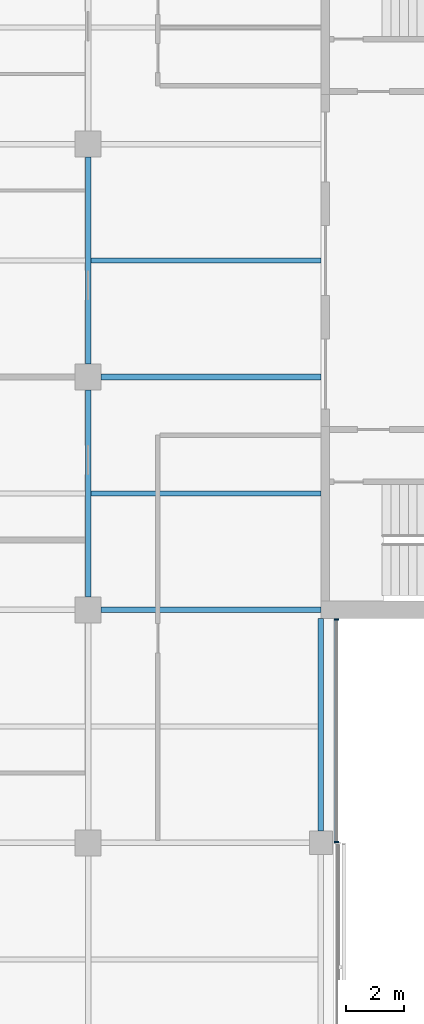
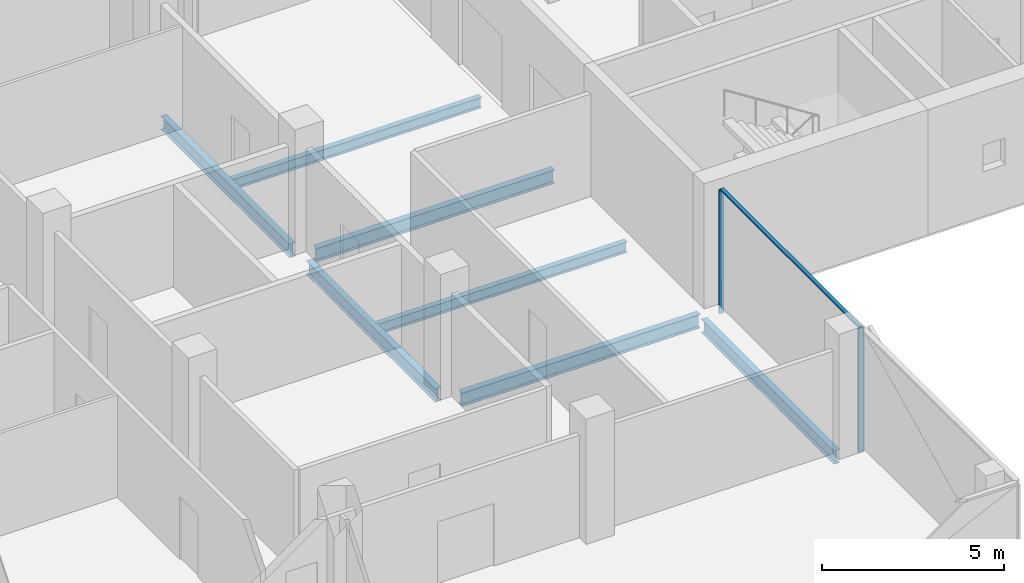
# One storey, part 4 of 15: 7 beams, 3 members, 1 element without a shape of its own.
"""IFC4 building model written with IfcOpenShell, lengths in metres."""

from ifc_helpers import new_model, si_unit, direction, frame, origin, origin_2d, place, context, subcontext, project, spatial, rectangle, i_section, extrude, material, material_profile, profile_set, type_object, element, aggregate, save


model = new_model("IFC4")

# Units and contexts
model_context = context("Model", 3, precision=1e-05, world=origin(), true_north=direction((0.0, 1.0)))
body_context = subcontext(model_context, "Body", "Model", "MODEL_VIEW")
ifc_project = project(units=[si_unit("LENGTHUNIT", "METRE"), si_unit("AREAUNIT", "SQUARE_METRE"), si_unit("VOLUMEUNIT", "CUBIC_METRE"), si_unit("PLANEANGLEUNIT", "RADIAN"), si_unit("MASSUNIT", "GRAM", prefix="KILO")], contexts=[model_context])

# Site, building, storey
site_placement = place(None, origin())
site = spatial("IfcSite", under=ifc_project, at=site_placement, CompositionType="ELEMENT")
building_placement = place(site_placement, origin())
building = spatial("IfcBuilding", under=site, at=building_placement, Name="Crosswind Convention Tower", CompositionType="ELEMENT")
storey_placement = place(building_placement, frame((0.0, 0.0, 220.89990234375)))
storey = spatial("IfcBuildingStorey", under=building, at=storey_placement, Name="L47", CompositionType="ELEMENT", Elevation=220.89990234375)

# Beams
ifc_material_1 = material(Name="Steel S355", Category="steel")
ifc_material_profile_1 = material_profile(ifc_material_1, i_section(OverallWidth=0.18994140625, OverallDepth=0.45361328125, WebThickness=0.008544921875, FlangeThickness=0.0126953125, FilletRadius=0.01025390625, at=origin_2d()), Name="UB 457x191x67")
ifc_profile_set_1 = profile_set([ifc_material_profile_1], Name="Steel S355")
beam_type_1 = type_object("IfcBeamType", Name="Edge beam UB 457x191x67", PredefinedType="SPANDREL", material=ifc_profile_set_1)
beam_placement = place(storey_placement, frame((137.0, 80.39990234375, -0.526611328125), z_axis=(0.0, 1.0, 0.0), x_axis=(-1.0, 0.0, 0.0)))
element("IfcBeam", 1, at=beam_placement, inside=storey, type_object=beam_type_1, Name="B16 L47 edge beam 12", PredefinedType="SPANDREL", context=body_context, shape_type="SweptSolid", body=[
    extrude(i_section(OverallWidth=0.18994140625, OverallDepth=0.45361328125, WebThickness=0.008544921875, FlangeThickness=0.0126953125, FilletRadius=0.01025390625, at=origin_2d()), origin(), (0.0, 0.0, 1.0), 7.300048828125),
])
ifc_material_profile_2 = material_profile(ifc_material_1, i_section(OverallWidth=0.1904296875, OverallDepth=0.457275390625, WebThickness=0.009033203125, FlangeThickness=0.014404296875, FilletRadius=0.01025390625, at=origin_2d()), Name="UB 457x191x75")
ifc_profile_set_2 = profile_set([ifc_material_profile_2], Name="Steel S355")
beam_type_2 = type_object("IfcBeamType", Name="Girder UB 457x191x75", PredefinedType="BEAM", material=ifc_profile_set_2)
for number, where, z_axis, x_axis, name in (
    (2, (129.0, 88.449951171875, -0.528564453125), (0.0, 1.0, 0.0), (-1.0, 0.0, 0.0), "B2 L47 girder 18"),
    (3, (129.0, 96.449951171875, -0.528564453125), (0.0, 1.0, 0.0), (-1.0, 0.0, 0.0), "B2 L47 girder 19"),
):
    element("IfcBeam", number, at=place(storey_placement, frame(where, z_axis=z_axis, x_axis=x_axis)), inside=storey, type_object=beam_type_2, Name=name, PredefinedType="BEAM", context=body_context, shape_type="SweptSolid", body=[
        extrude(i_section(OverallWidth=0.1904296875, OverallDepth=0.457275390625, WebThickness=0.009033203125, FlangeThickness=0.014404296875, FilletRadius=0.01025390625, at=origin_2d()), origin(), (0.0, 0.0, 1.0), 7.10009765625),
    ])
ifc_material_profile_3 = material_profile(ifc_material_1, i_section(OverallWidth=0.19140625, OverallDepth=0.460205078125, WebThickness=0.010009765625, FlangeThickness=0.01611328125, FilletRadius=0.01025390625, at=origin_2d()), Name="UB 457x191x82")
ifc_profile_set_3 = profile_set([ifc_material_profile_3], Name="Steel S355")
beam_type_3 = type_object("IfcBeamType", Name="Girder at core wall UB 457x191x82", PredefinedType="BEAM", material=ifc_profile_set_3)
for number, where, z_axis, x_axis, name in (
    (4, (129.449951171875, 88.0, -0.530029296875), (1.0, 0.0, 0.0), (0.0, 1.0, 0.0), "B23 L47 girder at core wall 5"),
    (5, (129.449951171875, 96.0, -0.530029296875), (1.0, 0.0, 0.0), (0.0, 1.0, 0.0), "B23 L47 girder at core wall 6"),
):
    element("IfcBeam", number, at=place(storey_placement, frame(where, z_axis=z_axis, x_axis=x_axis)), inside=storey, type_object=beam_type_3, Name=name, PredefinedType="BEAM", context=body_context, shape_type="SweptSolid", body=[
        extrude(i_section(OverallWidth=0.19140625, OverallDepth=0.460205078125, WebThickness=0.010009765625, FlangeThickness=0.01611328125, FilletRadius=0.01025390625, at=origin_2d()), origin(), (0.0, 0.0, 1.0), 7.550048828125),
    ])

# Curtain wall, members
ifc_material_2 = material(Name="Aluminium unitised curtain wall", Category="aluminium")
curtain_wall_type = type_object("IfcCurtainWallType", Name="CORE END SLOT WALL 160", PredefinedType="USERDEFINED", material=ifc_material_2)
curtain_wall_placement = place(storey_placement, origin())
curtain_wall = element("IfcCurtainWall", 6, at=curtain_wall_placement, inside=storey, type_object=curtain_wall_type, Name="CW6 L47 S-E.1-2 slot", ObjectType="UNITISED", PredefinedType="USERDEFINED")
ifc_material_3 = material(Name="Aluminium mullion", Category="aluminium")
ifc_material_profile_4 = material_profile(ifc_material_3, rectangle(XDim=0.159912109375, YDim=0.050048828125, at=origin_2d()), Name="AL 160X50")
ifc_profile_set_4 = profile_set([ifc_material_profile_4], Name="Aluminium mullion")
member_type_1 = type_object("IfcMemberType", Name="MULLION 50X160", PredefinedType="MULLION", material=ifc_profile_set_4)
member_1_placement = place(storey_placement, frame((137.530029296875, 80.02490234375, -0.2998046875), z_axis=(0.0, 0.0, 1.0), x_axis=(1.0, 0.0, 0.0)))
member_1 = element("IfcMember", 7, at=member_1_placement, type_object=member_type_1, Name="CW6 mullion 1", PredefinedType="MULLION", context=body_context, shape_type="SweptSolid", body=[
    extrude(rectangle(XDim=0.159912109375, YDim=0.050048828125, at=origin_2d()), origin(), (0.0, 0.0, 1.0), 4.14990234375),
])
member_2_placement = place(storey_placement, frame((137.530029296875, 87.675048828125, -0.2998046875), z_axis=(0.0, 0.0, 1.0), x_axis=(1.0, 0.0, 0.0)))
member_2 = element("IfcMember", 8, at=member_2_placement, type_object=member_type_1, Name="CW6 mullion 2", PredefinedType="MULLION", context=body_context, shape_type="SweptSolid", body=[
    extrude(rectangle(XDim=0.159912109375, YDim=0.050048828125, at=origin_2d()), origin(), (0.0, 0.0, 1.0), 4.14990234375),
])

# Beams
ifc_material_profile_5 = material_profile(ifc_material_1, i_section(OverallWidth=0.172119140625, OverallDepth=0.358642578125, WebThickness=0.008056640625, FlangeThickness=0.012939453125, FilletRadius=0.01025390625, at=origin_2d()), Name="UB 356x171x57")
ifc_profile_set_5 = profile_set([ifc_material_profile_5], Name="Steel S355")
beam_type_4 = type_object("IfcBeamType", Name="Secondary beam UB 356x171x57", PredefinedType="JOIST", material=ifc_profile_set_5)
for number, where, z_axis, x_axis, name in (
    (9, (129.09521484375, 92.0, -0.479248046875), (1.0, 0.0, 0.0), (0.0, 1.0, 0.0), "B9 L47 secondary beam 17"),
    (10, (129.09521484375, 100.0, -0.479248046875), (1.0, 0.0, 0.0), (0.0, 1.0, 0.0), "B9 L47 secondary beam 18"),
):
    element("IfcBeam", number, at=place(storey_placement, frame(where, z_axis=z_axis, x_axis=x_axis)), inside=storey, type_object=beam_type_4, Name=name, PredefinedType="JOIST", context=body_context, shape_type="SweptSolid", body=[
        extrude(i_section(OverallWidth=0.172119140625, OverallDepth=0.358642578125, WebThickness=0.008056640625, FlangeThickness=0.012939453125, FilletRadius=0.01025390625, at=origin_2d()), origin(), (0.0, 0.0, 1.0), 7.90478515625),
    ])

# Member
ifc_material_4 = material(Name="Aluminium transom", Category="aluminium")
ifc_material_profile_6 = material_profile(ifc_material_4, rectangle(XDim=0.1201171875, YDim=0.050048828125, at=origin_2d()), Name="AL 120X50")
ifc_profile_set_6 = profile_set([ifc_material_profile_6], Name="Aluminium transom")
member_type_2 = type_object("IfcMemberType", Name="TRANSOM 50X120", PredefinedType="USERDEFINED", material=ifc_profile_set_6)
member_3_placement = place(storey_placement, frame((137.530029296875, 80.050048828125, 3.875), z_axis=(0.0, 1.0, 0.0), x_axis=(-1.0, 0.0, 0.0)))
member_3 = element("IfcMember", 11, at=member_3_placement, type_object=member_type_2, Name="CW6 transom", ObjectType="TRANSOM", PredefinedType="USERDEFINED", context=body_context, shape_type="SweptSolid", body=[
    extrude(rectangle(XDim=0.1201171875, YDim=0.050048828125, at=origin_2d()), origin(), (0.0, 0.0, 1.0), 7.599853515625),
])

aggregate(curtain_wall, [member_1, member_2, member_3])

save(model, "model.ifc")
